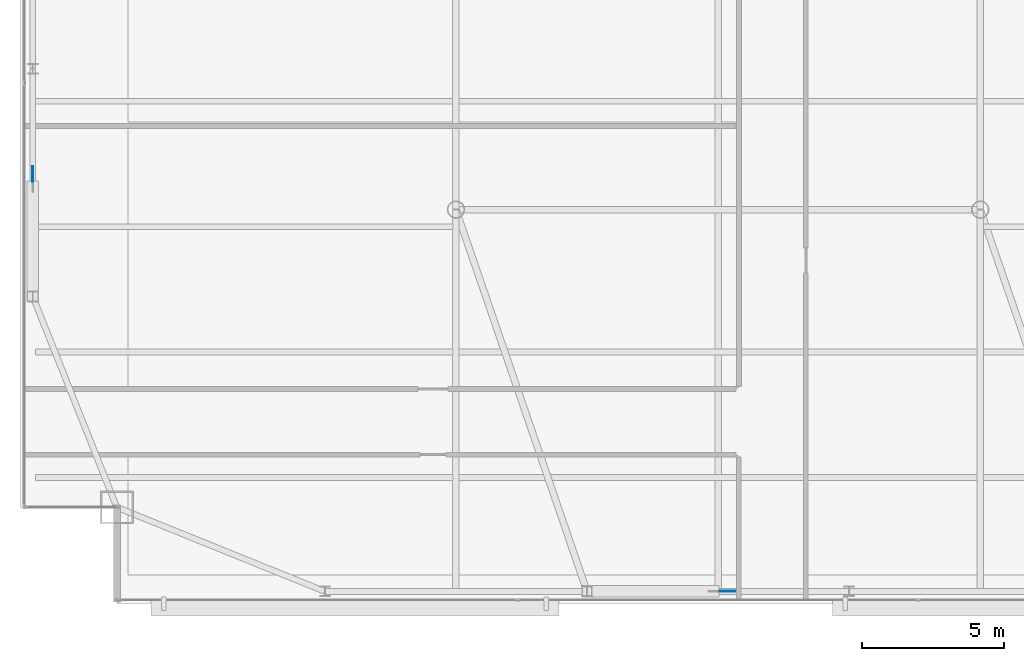
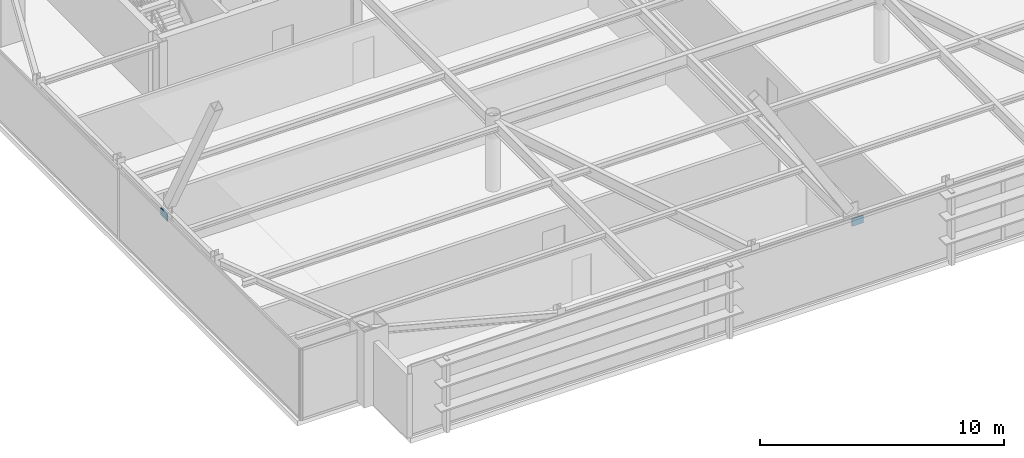
# One storey, part 22 of 27: 2 plates.
"""IFC4 building model written with IfcOpenShell, lengths in metres."""

from ifc_helpers import new_model, si_unit, direction, frame, origin, origin_2d, place, context, subcontext, project, spatial, rectangle, extrude, source, transform, mapped, material, layer, layer_set, type_object, type_shapes, element, save


model = new_model("IFC4")

# Units and contexts
model_context = context("Model", 3, precision=1e-05, world=origin(), true_north=direction((0.0, 1.0)))
body_context = subcontext(model_context, "Body", "Model", "MODEL_VIEW")
ifc_project = project(units=[si_unit("LENGTHUNIT", "METRE"), si_unit("AREAUNIT", "SQUARE_METRE"), si_unit("VOLUMEUNIT", "CUBIC_METRE"), si_unit("PLANEANGLEUNIT", "RADIAN"), si_unit("MASSUNIT", "GRAM", prefix="KILO")], contexts=[model_context])

# Site, building, storey
site_placement = place(None, origin())
site = spatial("IfcSite", under=ifc_project, at=site_placement, CompositionType="ELEMENT")
building_placement = place(site_placement, origin())
building = spatial("IfcBuilding", under=site, at=building_placement, Name="Varnel Quay Broadcast Tower", CompositionType="ELEMENT")
storey_placement = place(building_placement, frame((0.0, 0.0, 243.199951171875)))
storey = spatial("IfcBuildingStorey", under=building, at=storey_placement, Name="L60", CompositionType="ELEMENT", Elevation=243.199951171875)

# Plates
ifc_material = material(Name="Structural Steel CSA G40.21 350WT", Category="steel")
ifc_layer = layer(ifc_material, 0.031982421875, Name="Structural Steel CSA G40.21 350WT")
ifc_layer_set = layer_set([ifc_layer], Name="Structural Steel CSA G40.21 350WT")
plate_type = type_object("IfcPlateType", Name="Plate_EndCap", PredefinedType="USERDEFINED", material=ifc_layer_set)
shared_shape = source(origin(), body_context, "Body", "SweptSolid", [
    extrude(rectangle(XDim=0.5400390625, YDim=0.031982421875, at=origin_2d()), origin(), (0.0, 0.0, 1.0), 0.3798828125),
])
type_shapes(plate_type, [shared_shape])
for number, where, z_axis, x_axis, name in (
    (1, (34.331787109375, 10.64990234375, 2.947265625), (0.0, 0.0, 1.0), (1.0, 0.0, 0.0), "Zone 4 Mega-Brace S-C1T3 Diag B1 End Connection Plate P1"),
    (2, (9.949951171875, 25.306640625, 2.91357421875), (0.0, 0.0, 1.0), (0.0, 1.0, 0.0), "Zone 4 Mega-Brace W-FT3 Diag B1 End Connection Plate P1"),
):
    element("IfcPlate", number, at=place(storey_placement, frame(where, z_axis=z_axis, x_axis=x_axis)), inside=storey, type_object=plate_type, Name=name, ObjectType="CAP_PLATE", PredefinedType="USERDEFINED", context=body_context, shape_type="MappedRepresentation", body=[
        mapped(shared_shape, transform((0.0, 0.0, 0.0), x_axis=(1.0, 0.0, 0.0), y_axis=(0.0, 1.0, 0.0), z_axis=(0.0, 0.0, 1.0), scale=1.0)),
    ])

save(model, "model.ifc")
